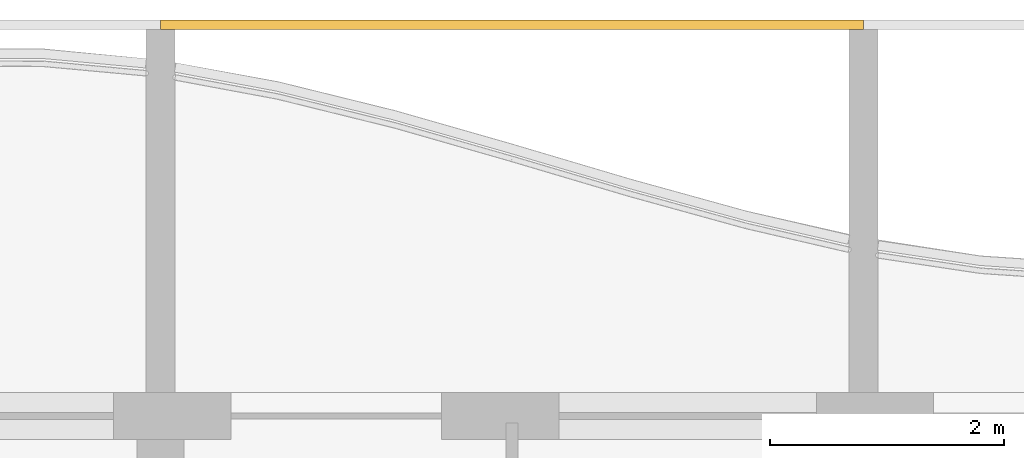
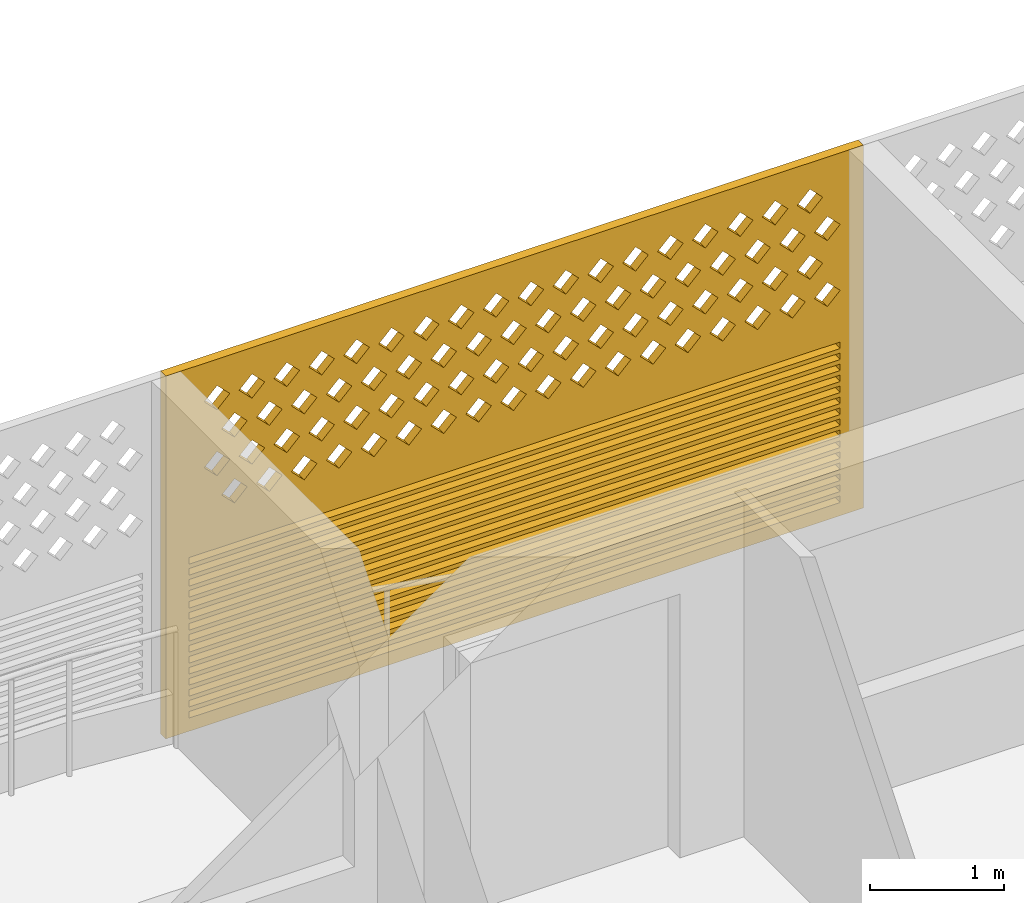
# One storey, part 34 of 39: 1 covering.
"""IFC4 building model written with IfcOpenShell, lengths in metres."""

from ifc_helpers import new_model, si_unit, direction, frame, origin, place, context, subcontext, project, spatial, polyline, outline, extrude, source, transform, mapped, material, material_profile, profile_set, type_object, element, save


model = new_model("IFC4")

# Units and contexts
model_context = context("Model", 3, precision=1e-05, world=origin(), true_north=direction((0.0, 1.0)))
body_context = subcontext(model_context, "Body", "Model", "MODEL_VIEW")
ifc_project = project(units=[si_unit("LENGTHUNIT", "METRE"), si_unit("AREAUNIT", "SQUARE_METRE"), si_unit("VOLUMEUNIT", "CUBIC_METRE"), si_unit("PLANEANGLEUNIT", "RADIAN"), si_unit("MASSUNIT", "GRAM", prefix="KILO")], contexts=[model_context])

# Site, building, storey
site_placement = place(None, origin())
site = spatial("IfcSite", under=ifc_project, at=site_placement, CompositionType="ELEMENT")
building_placement = place(site_placement, origin())
building = spatial("IfcBuilding", under=site, at=building_placement, Name="Poui Terraces", CompositionType="ELEMENT")
storey_placement = place(building_placement, frame((0.0, 0.0, 56.39990234375)))
storey = spatial("IfcBuildingStorey", under=building, at=storey_placement, Name="L15", CompositionType="ELEMENT", Elevation=56.39990234375)

# Covering
ifc_material = material(Name="Terracotta screen", Category="masonry")
ifc_material_profile = material_profile(ifc_material, outline(polyline([(-3.0, -1.64990234375), (3.0, -1.64990234375), (3.0, 1.64990234375), (-3.0, 1.64990234375), (-3.0, -1.64990234375)]), holes=[polyline([(-2.800048828125, 0.39990234375), (-2.68994140625, 0.2900390625), (-2.580078125, 0.39990234375), (-2.68994140625, 0.510009765625), (-2.800048828125, 0.39990234375)]), polyline([(-2.5, 0.39990234375), (-2.389892578125, 0.2900390625), (-2.280029296875, 0.39990234375), (-2.389892578125, 0.510009765625), (-2.5, 0.39990234375)]), polyline([(-2.199951171875, 0.39990234375), (-2.090087890625, 0.2900390625), (-1.97998046875, 0.39990234375), (-2.090087890625, 0.510009765625), (-2.199951171875, 0.39990234375)]), polyline([(-1.89990234375, 0.39990234375), (-1.7900390625, 0.2900390625), (-1.679931640625, 0.39990234375), (-1.7900390625, 0.510009765625), (-1.89990234375, 0.39990234375)]), polyline([(-1.60009765625, 0.39990234375), (-1.489990234375, 0.2900390625), (-1.3798828125, 0.39990234375), (-1.489990234375, 0.510009765625), (-1.60009765625, 0.39990234375)]), polyline([(-1.300048828125, 0.39990234375), (-1.18994140625, 0.2900390625), (-1.080078125, 0.39990234375), (-1.18994140625, 0.510009765625), (-1.300048828125, 0.39990234375)]), polyline([(-1.0, 0.39990234375), (-0.889892578125, 0.2900390625), (-0.780029296875, 0.39990234375), (-0.889892578125, 0.510009765625), (-1.0, 0.39990234375)]), polyline([(-0.699951171875, 0.39990234375), (-0.590087890625, 0.2900390625), (-0.47998046875, 0.39990234375), (-0.590087890625, 0.510009765625), (-0.699951171875, 0.39990234375)]), polyline([(-0.39990234375, 0.39990234375), (-0.2900390625, 0.2900390625), (-0.179931640625, 0.39990234375), (-0.2900390625, 0.510009765625), (-0.39990234375, 0.39990234375)]), polyline([(-0.10009765625, 0.39990234375), (0.010009765625, 0.2900390625), (0.1201171875, 0.39990234375), (0.010009765625, 0.510009765625), (-0.10009765625, 0.39990234375)]), polyline([(0.199951171875, 0.39990234375), (0.31005859375, 0.2900390625), (0.419921875, 0.39990234375), (0.31005859375, 0.510009765625), (0.199951171875, 0.39990234375)]), polyline([(0.5, 0.39990234375), (0.610107421875, 0.2900390625), (0.719970703125, 0.39990234375), (0.610107421875, 0.510009765625), (0.5, 0.39990234375)]), polyline([(0.800048828125, 0.39990234375), (0.909912109375, 0.2900390625), (1.02001953125, 0.39990234375), (0.909912109375, 0.510009765625), (0.800048828125, 0.39990234375)]), polyline([(1.10009765625, 0.39990234375), (1.2099609375, 0.2900390625), (1.320068359375, 0.39990234375), (1.2099609375, 0.510009765625), (1.10009765625, 0.39990234375)]), polyline([(1.39990234375, 0.39990234375), (1.510009765625, 0.2900390625), (1.6201171875, 0.39990234375), (1.510009765625, 0.510009765625), (1.39990234375, 0.39990234375)]), polyline([(1.699951171875, 0.39990234375), (1.81005859375, 0.2900390625), (1.919921875, 0.39990234375), (1.81005859375, 0.510009765625), (1.699951171875, 0.39990234375)]), polyline([(2.0, 0.39990234375), (2.110107421875, 0.2900390625), (2.219970703125, 0.39990234375), (2.110107421875, 0.510009765625), (2.0, 0.39990234375)]), polyline([(2.300048828125, 0.39990234375), (2.409912109375, 0.2900390625), (2.52001953125, 0.39990234375), (2.409912109375, 0.510009765625), (2.300048828125, 0.39990234375)]), polyline([(-2.64990234375, 0.699951171875), (-2.5400390625, 0.590087890625), (-2.429931640625, 0.699951171875), (-2.5400390625, 0.81005859375), (-2.64990234375, 0.699951171875)]), polyline([(-2.35009765625, 0.699951171875), (-2.239990234375, 0.590087890625), (-2.1298828125, 0.699951171875), (-2.239990234375, 0.81005859375), (-2.35009765625, 0.699951171875)]), polyline([(-2.050048828125, 0.699951171875), (-1.93994140625, 0.590087890625), (-1.830078125, 0.699951171875), (-1.93994140625, 0.81005859375), (-2.050048828125, 0.699951171875)]), polyline([(-1.75, 0.699951171875), (-1.639892578125, 0.590087890625), (-1.530029296875, 0.699951171875), (-1.639892578125, 0.81005859375), (-1.75, 0.699951171875)]), polyline([(-1.449951171875, 0.699951171875), (-1.340087890625, 0.590087890625), (-1.22998046875, 0.699951171875), (-1.340087890625, 0.81005859375), (-1.449951171875, 0.699951171875)]), polyline([(-1.14990234375, 0.699951171875), (-1.0400390625, 0.590087890625), (-0.929931640625, 0.699951171875), (-1.0400390625, 0.81005859375), (-1.14990234375, 0.699951171875)]), polyline([(-0.85009765625, 0.699951171875), (-0.739990234375, 0.590087890625), (-0.6298828125, 0.699951171875), (-0.739990234375, 0.81005859375), (-0.85009765625, 0.699951171875)]), polyline([(-0.550048828125, 0.699951171875), (-0.43994140625, 0.590087890625), (-0.330078125, 0.699951171875), (-0.43994140625, 0.81005859375), (-0.550048828125, 0.699951171875)]), polyline([(-0.25, 0.699951171875), (-0.139892578125, 0.590087890625), (-0.030029296875, 0.699951171875), (-0.139892578125, 0.81005859375), (-0.25, 0.699951171875)]), polyline([(0.050048828125, 0.699951171875), (0.159912109375, 0.590087890625), (0.27001953125, 0.699951171875), (0.159912109375, 0.81005859375), (0.050048828125, 0.699951171875)]), polyline([(0.35009765625, 0.699951171875), (0.4599609375, 0.590087890625), (0.570068359375, 0.699951171875), (0.4599609375, 0.81005859375), (0.35009765625, 0.699951171875)]), polyline([(0.64990234375, 0.699951171875), (0.760009765625, 0.590087890625), (0.8701171875, 0.699951171875), (0.760009765625, 0.81005859375), (0.64990234375, 0.699951171875)]), polyline([(0.949951171875, 0.699951171875), (1.06005859375, 0.590087890625), (1.169921875, 0.699951171875), (1.06005859375, 0.81005859375), (0.949951171875, 0.699951171875)]), polyline([(1.25, 0.699951171875), (1.360107421875, 0.590087890625), (1.469970703125, 0.699951171875), (1.360107421875, 0.81005859375), (1.25, 0.699951171875)]), polyline([(1.550048828125, 0.699951171875), (1.659912109375, 0.590087890625), (1.77001953125, 0.699951171875), (1.659912109375, 0.81005859375), (1.550048828125, 0.699951171875)]), polyline([(1.85009765625, 0.699951171875), (1.9599609375, 0.590087890625), (2.070068359375, 0.699951171875), (1.9599609375, 0.81005859375), (1.85009765625, 0.699951171875)]), polyline([(2.14990234375, 0.699951171875), (2.260009765625, 0.590087890625), (2.3701171875, 0.699951171875), (2.260009765625, 0.81005859375), (2.14990234375, 0.699951171875)]), polyline([(2.449951171875, 0.699951171875), (2.56005859375, 0.590087890625), (2.669921875, 0.699951171875), (2.56005859375, 0.81005859375), (2.449951171875, 0.699951171875)]), polyline([(-2.800048828125, 1.0), (-2.68994140625, 0.889892578125), (-2.580078125, 1.0), (-2.68994140625, 1.110107421875), (-2.800048828125, 1.0)]), polyline([(-2.5, 1.0), (-2.389892578125, 0.889892578125), (-2.280029296875, 1.0), (-2.389892578125, 1.110107421875), (-2.5, 1.0)]), polyline([(-2.199951171875, 1.0), (-2.090087890625, 0.889892578125), (-1.97998046875, 1.0), (-2.090087890625, 1.110107421875), (-2.199951171875, 1.0)]), polyline([(-1.89990234375, 1.0), (-1.7900390625, 0.889892578125), (-1.679931640625, 1.0), (-1.7900390625, 1.110107421875), (-1.89990234375, 1.0)]), polyline([(-1.60009765625, 1.0), (-1.489990234375, 0.889892578125), (-1.3798828125, 1.0), (-1.489990234375, 1.110107421875), (-1.60009765625, 1.0)]), polyline([(-1.300048828125, 1.0), (-1.18994140625, 0.889892578125), (-1.080078125, 1.0), (-1.18994140625, 1.110107421875), (-1.300048828125, 1.0)]), polyline([(-1.0, 1.0), (-0.889892578125, 0.889892578125), (-0.780029296875, 1.0), (-0.889892578125, 1.110107421875), (-1.0, 1.0)]), polyline([(-0.699951171875, 1.0), (-0.590087890625, 0.889892578125), (-0.47998046875, 1.0), (-0.590087890625, 1.110107421875), (-0.699951171875, 1.0)]), polyline([(-0.39990234375, 1.0), (-0.2900390625, 0.889892578125), (-0.179931640625, 1.0), (-0.2900390625, 1.110107421875), (-0.39990234375, 1.0)]), polyline([(-0.10009765625, 1.0), (0.010009765625, 0.889892578125), (0.1201171875, 1.0), (0.010009765625, 1.110107421875), (-0.10009765625, 1.0)]), polyline([(0.199951171875, 1.0), (0.31005859375, 0.889892578125), (0.419921875, 1.0), (0.31005859375, 1.110107421875), (0.199951171875, 1.0)]), polyline([(0.5, 1.0), (0.610107421875, 0.889892578125), (0.719970703125, 1.0), (0.610107421875, 1.110107421875), (0.5, 1.0)]), polyline([(0.800048828125, 1.0), (0.909912109375, 0.889892578125), (1.02001953125, 1.0), (0.909912109375, 1.110107421875), (0.800048828125, 1.0)]), polyline([(1.10009765625, 1.0), (1.2099609375, 0.889892578125), (1.320068359375, 1.0), (1.2099609375, 1.110107421875), (1.10009765625, 1.0)]), polyline([(1.39990234375, 1.0), (1.510009765625, 0.889892578125), (1.6201171875, 1.0), (1.510009765625, 1.110107421875), (1.39990234375, 1.0)]), polyline([(1.699951171875, 1.0), (1.81005859375, 0.889892578125), (1.919921875, 1.0), (1.81005859375, 1.110107421875), (1.699951171875, 1.0)]), polyline([(2.0, 1.0), (2.110107421875, 0.889892578125), (2.219970703125, 1.0), (2.110107421875, 1.110107421875), (2.0, 1.0)]), polyline([(2.300048828125, 1.0), (2.409912109375, 0.889892578125), (2.52001953125, 1.0), (2.409912109375, 1.110107421875), (2.300048828125, 1.0)]), polyline([(-2.64990234375, 1.300048828125), (-2.5400390625, 1.18994140625), (-2.429931640625, 1.300048828125), (-2.5400390625, 1.409912109375), (-2.64990234375, 1.300048828125)]), polyline([(-2.35009765625, 1.300048828125), (-2.239990234375, 1.18994140625), (-2.1298828125, 1.300048828125), (-2.239990234375, 1.409912109375), (-2.35009765625, 1.300048828125)]), polyline([(-2.050048828125, 1.300048828125), (-1.93994140625, 1.18994140625), (-1.830078125, 1.300048828125), (-1.93994140625, 1.409912109375), (-2.050048828125, 1.300048828125)]), polyline([(-1.75, 1.300048828125), (-1.639892578125, 1.18994140625), (-1.530029296875, 1.300048828125), (-1.639892578125, 1.409912109375), (-1.75, 1.300048828125)]), polyline([(-1.449951171875, 1.300048828125), (-1.340087890625, 1.18994140625), (-1.22998046875, 1.300048828125), (-1.340087890625, 1.409912109375), (-1.449951171875, 1.300048828125)]), polyline([(-1.14990234375, 1.300048828125), (-1.0400390625, 1.18994140625), (-0.929931640625, 1.300048828125), (-1.0400390625, 1.409912109375), (-1.14990234375, 1.300048828125)]), polyline([(-0.85009765625, 1.300048828125), (-0.739990234375, 1.18994140625), (-0.6298828125, 1.300048828125), (-0.739990234375, 1.409912109375), (-0.85009765625, 1.300048828125)]), polyline([(-0.550048828125, 1.300048828125), (-0.43994140625, 1.18994140625), (-0.330078125, 1.300048828125), (-0.43994140625, 1.409912109375), (-0.550048828125, 1.300048828125)]), polyline([(-0.25, 1.300048828125), (-0.139892578125, 1.18994140625), (-0.030029296875, 1.300048828125), (-0.139892578125, 1.409912109375), (-0.25, 1.300048828125)]), polyline([(0.050048828125, 1.300048828125), (0.159912109375, 1.18994140625), (0.27001953125, 1.300048828125), (0.159912109375, 1.409912109375), (0.050048828125, 1.300048828125)]), polyline([(0.35009765625, 1.300048828125), (0.4599609375, 1.18994140625), (0.570068359375, 1.300048828125), (0.4599609375, 1.409912109375), (0.35009765625, 1.300048828125)]), polyline([(0.64990234375, 1.300048828125), (0.760009765625, 1.18994140625), (0.8701171875, 1.300048828125), (0.760009765625, 1.409912109375), (0.64990234375, 1.300048828125)]), polyline([(0.949951171875, 1.300048828125), (1.06005859375, 1.18994140625), (1.169921875, 1.300048828125), (1.06005859375, 1.409912109375), (0.949951171875, 1.300048828125)]), polyline([(1.25, 1.300048828125), (1.360107421875, 1.18994140625), (1.469970703125, 1.300048828125), (1.360107421875, 1.409912109375), (1.25, 1.300048828125)]), polyline([(1.550048828125, 1.300048828125), (1.659912109375, 1.18994140625), (1.77001953125, 1.300048828125), (1.659912109375, 1.409912109375), (1.550048828125, 1.300048828125)]), polyline([(1.85009765625, 1.300048828125), (1.9599609375, 1.18994140625), (2.070068359375, 1.300048828125), (1.9599609375, 1.409912109375), (1.85009765625, 1.300048828125)]), polyline([(2.14990234375, 1.300048828125), (2.260009765625, 1.18994140625), (2.3701171875, 1.300048828125), (2.260009765625, 1.409912109375), (2.14990234375, 1.300048828125)]), polyline([(2.449951171875, 1.300048828125), (2.56005859375, 1.18994140625), (2.669921875, 1.300048828125), (2.56005859375, 1.409912109375), (2.449951171875, 1.300048828125)]), polyline([(-2.800048828125, -1.530029296875), (2.800048828125, -1.530029296875), (2.800048828125, -1.469970703125), (-2.800048828125, -1.469970703125), (-2.800048828125, -1.530029296875)]), polyline([(-2.800048828125, -1.429931640625), (2.800048828125, -1.429931640625), (2.800048828125, -1.3701171875), (-2.800048828125, -1.3701171875), (-2.800048828125, -1.429931640625)]), polyline([(-2.800048828125, -1.330078125), (2.800048828125, -1.330078125), (2.800048828125, -1.27001953125), (-2.800048828125, -1.27001953125), (-2.800048828125, -1.330078125)]), polyline([(-2.800048828125, -1.22998046875), (2.800048828125, -1.22998046875), (2.800048828125, -1.169921875), (-2.800048828125, -1.169921875), (-2.800048828125, -1.22998046875)]), polyline([(-2.800048828125, -1.1298828125), (2.800048828125, -1.1298828125), (2.800048828125, -1.070068359375), (-2.800048828125, -1.070068359375), (-2.800048828125, -1.1298828125)]), polyline([(-2.800048828125, -1.030029296875), (2.800048828125, -1.030029296875), (2.800048828125, -0.969970703125), (-2.800048828125, -0.969970703125), (-2.800048828125, -1.030029296875)]), polyline([(-2.800048828125, -0.929931640625), (2.800048828125, -0.929931640625), (2.800048828125, -0.8701171875), (-2.800048828125, -0.8701171875), (-2.800048828125, -0.929931640625)]), polyline([(-2.800048828125, -0.830078125), (2.800048828125, -0.830078125), (2.800048828125, -0.77001953125), (-2.800048828125, -0.77001953125), (-2.800048828125, -0.830078125)]), polyline([(-2.800048828125, -0.72998046875), (2.800048828125, -0.72998046875), (2.800048828125, -0.669921875), (-2.800048828125, -0.669921875), (-2.800048828125, -0.72998046875)]), polyline([(-2.800048828125, -0.6298828125), (2.800048828125, -0.6298828125), (2.800048828125, -0.570068359375), (-2.800048828125, -0.570068359375), (-2.800048828125, -0.6298828125)]), polyline([(-2.800048828125, -0.530029296875), (2.800048828125, -0.530029296875), (2.800048828125, -0.469970703125), (-2.800048828125, -0.469970703125), (-2.800048828125, -0.530029296875)]), polyline([(-2.800048828125, -0.429931640625), (2.800048828125, -0.429931640625), (2.800048828125, -0.3701171875), (-2.800048828125, -0.3701171875), (-2.800048828125, -0.429931640625)]), polyline([(-2.800048828125, -0.330078125), (2.800048828125, -0.330078125), (2.800048828125, -0.27001953125), (-2.800048828125, -0.27001953125), (-2.800048828125, -0.330078125)]), polyline([(-2.800048828125, -0.22998046875), (2.800048828125, -0.22998046875), (2.800048828125, -0.169921875), (-2.800048828125, -0.169921875), (-2.800048828125, -0.22998046875)]), polyline([(-2.800048828125, -0.1298828125), (2.800048828125, -0.1298828125), (2.800048828125, -0.070068359375), (-2.800048828125, -0.070068359375), (-2.800048828125, -0.1298828125)])]), Name="TERRACOTTA SCREEN AND JALOUSIE LOUVRE 6000X3300")
ifc_profile_set = profile_set([ifc_material_profile], Name="Terracotta screen")
covering_type = type_object("IfcCoveringType", Name="TERRACOTTA SCREEN AND JALOUSIE LOUVRE 6000X3300", PredefinedType="CLADDING", material=ifc_profile_set)
shared_shape = source(origin(), body_context, "Body", "SweptSolid", [
    extrude(outline(polyline([(-3.0, -1.64990234375), (3.0, -1.64990234375), (3.0, 1.64990234375), (-3.0, 1.64990234375), (-3.0, -1.64990234375)]), holes=[polyline([(-2.800048828125, 0.39990234375), (-2.68994140625, 0.2900390625), (-2.580078125, 0.39990234375), (-2.68994140625, 0.510009765625), (-2.800048828125, 0.39990234375)]), polyline([(-2.5, 0.39990234375), (-2.389892578125, 0.2900390625), (-2.280029296875, 0.39990234375), (-2.389892578125, 0.510009765625), (-2.5, 0.39990234375)]), polyline([(-2.199951171875, 0.39990234375), (-2.090087890625, 0.2900390625), (-1.97998046875, 0.39990234375), (-2.090087890625, 0.510009765625), (-2.199951171875, 0.39990234375)]), polyline([(-1.89990234375, 0.39990234375), (-1.7900390625, 0.2900390625), (-1.679931640625, 0.39990234375), (-1.7900390625, 0.510009765625), (-1.89990234375, 0.39990234375)]), polyline([(-1.60009765625, 0.39990234375), (-1.489990234375, 0.2900390625), (-1.3798828125, 0.39990234375), (-1.489990234375, 0.510009765625), (-1.60009765625, 0.39990234375)]), polyline([(-1.300048828125, 0.39990234375), (-1.18994140625, 0.2900390625), (-1.080078125, 0.39990234375), (-1.18994140625, 0.510009765625), (-1.300048828125, 0.39990234375)]), polyline([(-1.0, 0.39990234375), (-0.889892578125, 0.2900390625), (-0.780029296875, 0.39990234375), (-0.889892578125, 0.510009765625), (-1.0, 0.39990234375)]), polyline([(-0.699951171875, 0.39990234375), (-0.590087890625, 0.2900390625), (-0.47998046875, 0.39990234375), (-0.590087890625, 0.510009765625), (-0.699951171875, 0.39990234375)]), polyline([(-0.39990234375, 0.39990234375), (-0.2900390625, 0.2900390625), (-0.179931640625, 0.39990234375), (-0.2900390625, 0.510009765625), (-0.39990234375, 0.39990234375)]), polyline([(-0.10009765625, 0.39990234375), (0.010009765625, 0.2900390625), (0.1201171875, 0.39990234375), (0.010009765625, 0.510009765625), (-0.10009765625, 0.39990234375)]), polyline([(0.199951171875, 0.39990234375), (0.31005859375, 0.2900390625), (0.419921875, 0.39990234375), (0.31005859375, 0.510009765625), (0.199951171875, 0.39990234375)]), polyline([(0.5, 0.39990234375), (0.610107421875, 0.2900390625), (0.719970703125, 0.39990234375), (0.610107421875, 0.510009765625), (0.5, 0.39990234375)]), polyline([(0.800048828125, 0.39990234375), (0.909912109375, 0.2900390625), (1.02001953125, 0.39990234375), (0.909912109375, 0.510009765625), (0.800048828125, 0.39990234375)]), polyline([(1.10009765625, 0.39990234375), (1.2099609375, 0.2900390625), (1.320068359375, 0.39990234375), (1.2099609375, 0.510009765625), (1.10009765625, 0.39990234375)]), polyline([(1.39990234375, 0.39990234375), (1.510009765625, 0.2900390625), (1.6201171875, 0.39990234375), (1.510009765625, 0.510009765625), (1.39990234375, 0.39990234375)]), polyline([(1.699951171875, 0.39990234375), (1.81005859375, 0.2900390625), (1.919921875, 0.39990234375), (1.81005859375, 0.510009765625), (1.699951171875, 0.39990234375)]), polyline([(2.0, 0.39990234375), (2.110107421875, 0.2900390625), (2.219970703125, 0.39990234375), (2.110107421875, 0.510009765625), (2.0, 0.39990234375)]), polyline([(2.300048828125, 0.39990234375), (2.409912109375, 0.2900390625), (2.52001953125, 0.39990234375), (2.409912109375, 0.510009765625), (2.300048828125, 0.39990234375)]), polyline([(-2.64990234375, 0.699951171875), (-2.5400390625, 0.590087890625), (-2.429931640625, 0.699951171875), (-2.5400390625, 0.81005859375), (-2.64990234375, 0.699951171875)]), polyline([(-2.35009765625, 0.699951171875), (-2.239990234375, 0.590087890625), (-2.1298828125, 0.699951171875), (-2.239990234375, 0.81005859375), (-2.35009765625, 0.699951171875)]), polyline([(-2.050048828125, 0.699951171875), (-1.93994140625, 0.590087890625), (-1.830078125, 0.699951171875), (-1.93994140625, 0.81005859375), (-2.050048828125, 0.699951171875)]), polyline([(-1.75, 0.699951171875), (-1.639892578125, 0.590087890625), (-1.530029296875, 0.699951171875), (-1.639892578125, 0.81005859375), (-1.75, 0.699951171875)]), polyline([(-1.449951171875, 0.699951171875), (-1.340087890625, 0.590087890625), (-1.22998046875, 0.699951171875), (-1.340087890625, 0.81005859375), (-1.449951171875, 0.699951171875)]), polyline([(-1.14990234375, 0.699951171875), (-1.0400390625, 0.590087890625), (-0.929931640625, 0.699951171875), (-1.0400390625, 0.81005859375), (-1.14990234375, 0.699951171875)]), polyline([(-0.85009765625, 0.699951171875), (-0.739990234375, 0.590087890625), (-0.6298828125, 0.699951171875), (-0.739990234375, 0.81005859375), (-0.85009765625, 0.699951171875)]), polyline([(-0.550048828125, 0.699951171875), (-0.43994140625, 0.590087890625), (-0.330078125, 0.699951171875), (-0.43994140625, 0.81005859375), (-0.550048828125, 0.699951171875)]), polyline([(-0.25, 0.699951171875), (-0.139892578125, 0.590087890625), (-0.030029296875, 0.699951171875), (-0.139892578125, 0.81005859375), (-0.25, 0.699951171875)]), polyline([(0.050048828125, 0.699951171875), (0.159912109375, 0.590087890625), (0.27001953125, 0.699951171875), (0.159912109375, 0.81005859375), (0.050048828125, 0.699951171875)]), polyline([(0.35009765625, 0.699951171875), (0.4599609375, 0.590087890625), (0.570068359375, 0.699951171875), (0.4599609375, 0.81005859375), (0.35009765625, 0.699951171875)]), polyline([(0.64990234375, 0.699951171875), (0.760009765625, 0.590087890625), (0.8701171875, 0.699951171875), (0.760009765625, 0.81005859375), (0.64990234375, 0.699951171875)]), polyline([(0.949951171875, 0.699951171875), (1.06005859375, 0.590087890625), (1.169921875, 0.699951171875), (1.06005859375, 0.81005859375), (0.949951171875, 0.699951171875)]), polyline([(1.25, 0.699951171875), (1.360107421875, 0.590087890625), (1.469970703125, 0.699951171875), (1.360107421875, 0.81005859375), (1.25, 0.699951171875)]), polyline([(1.550048828125, 0.699951171875), (1.659912109375, 0.590087890625), (1.77001953125, 0.699951171875), (1.659912109375, 0.81005859375), (1.550048828125, 0.699951171875)]), polyline([(1.85009765625, 0.699951171875), (1.9599609375, 0.590087890625), (2.070068359375, 0.699951171875), (1.9599609375, 0.81005859375), (1.85009765625, 0.699951171875)]), polyline([(2.14990234375, 0.699951171875), (2.260009765625, 0.590087890625), (2.3701171875, 0.699951171875), (2.260009765625, 0.81005859375), (2.14990234375, 0.699951171875)]), polyline([(2.449951171875, 0.699951171875), (2.56005859375, 0.590087890625), (2.669921875, 0.699951171875), (2.56005859375, 0.81005859375), (2.449951171875, 0.699951171875)]), polyline([(-2.800048828125, 1.0), (-2.68994140625, 0.889892578125), (-2.580078125, 1.0), (-2.68994140625, 1.110107421875), (-2.800048828125, 1.0)]), polyline([(-2.5, 1.0), (-2.389892578125, 0.889892578125), (-2.280029296875, 1.0), (-2.389892578125, 1.110107421875), (-2.5, 1.0)]), polyline([(-2.199951171875, 1.0), (-2.090087890625, 0.889892578125), (-1.97998046875, 1.0), (-2.090087890625, 1.110107421875), (-2.199951171875, 1.0)]), polyline([(-1.89990234375, 1.0), (-1.7900390625, 0.889892578125), (-1.679931640625, 1.0), (-1.7900390625, 1.110107421875), (-1.89990234375, 1.0)]), polyline([(-1.60009765625, 1.0), (-1.489990234375, 0.889892578125), (-1.3798828125, 1.0), (-1.489990234375, 1.110107421875), (-1.60009765625, 1.0)]), polyline([(-1.300048828125, 1.0), (-1.18994140625, 0.889892578125), (-1.080078125, 1.0), (-1.18994140625, 1.110107421875), (-1.300048828125, 1.0)]), polyline([(-1.0, 1.0), (-0.889892578125, 0.889892578125), (-0.780029296875, 1.0), (-0.889892578125, 1.110107421875), (-1.0, 1.0)]), polyline([(-0.699951171875, 1.0), (-0.590087890625, 0.889892578125), (-0.47998046875, 1.0), (-0.590087890625, 1.110107421875), (-0.699951171875, 1.0)]), polyline([(-0.39990234375, 1.0), (-0.2900390625, 0.889892578125), (-0.179931640625, 1.0), (-0.2900390625, 1.110107421875), (-0.39990234375, 1.0)]), polyline([(-0.10009765625, 1.0), (0.010009765625, 0.889892578125), (0.1201171875, 1.0), (0.010009765625, 1.110107421875), (-0.10009765625, 1.0)]), polyline([(0.199951171875, 1.0), (0.31005859375, 0.889892578125), (0.419921875, 1.0), (0.31005859375, 1.110107421875), (0.199951171875, 1.0)]), polyline([(0.5, 1.0), (0.610107421875, 0.889892578125), (0.719970703125, 1.0), (0.610107421875, 1.110107421875), (0.5, 1.0)]), polyline([(0.800048828125, 1.0), (0.909912109375, 0.889892578125), (1.02001953125, 1.0), (0.909912109375, 1.110107421875), (0.800048828125, 1.0)]), polyline([(1.10009765625, 1.0), (1.2099609375, 0.889892578125), (1.320068359375, 1.0), (1.2099609375, 1.110107421875), (1.10009765625, 1.0)]), polyline([(1.39990234375, 1.0), (1.510009765625, 0.889892578125), (1.6201171875, 1.0), (1.510009765625, 1.110107421875), (1.39990234375, 1.0)]), polyline([(1.699951171875, 1.0), (1.81005859375, 0.889892578125), (1.919921875, 1.0), (1.81005859375, 1.110107421875), (1.699951171875, 1.0)]), polyline([(2.0, 1.0), (2.110107421875, 0.889892578125), (2.219970703125, 1.0), (2.110107421875, 1.110107421875), (2.0, 1.0)]), polyline([(2.300048828125, 1.0), (2.409912109375, 0.889892578125), (2.52001953125, 1.0), (2.409912109375, 1.110107421875), (2.300048828125, 1.0)]), polyline([(-2.64990234375, 1.300048828125), (-2.5400390625, 1.18994140625), (-2.429931640625, 1.300048828125), (-2.5400390625, 1.409912109375), (-2.64990234375, 1.300048828125)]), polyline([(-2.35009765625, 1.300048828125), (-2.239990234375, 1.18994140625), (-2.1298828125, 1.300048828125), (-2.239990234375, 1.409912109375), (-2.35009765625, 1.300048828125)]), polyline([(-2.050048828125, 1.300048828125), (-1.93994140625, 1.18994140625), (-1.830078125, 1.300048828125), (-1.93994140625, 1.409912109375), (-2.050048828125, 1.300048828125)]), polyline([(-1.75, 1.300048828125), (-1.639892578125, 1.18994140625), (-1.530029296875, 1.300048828125), (-1.639892578125, 1.409912109375), (-1.75, 1.300048828125)]), polyline([(-1.449951171875, 1.300048828125), (-1.340087890625, 1.18994140625), (-1.22998046875, 1.300048828125), (-1.340087890625, 1.409912109375), (-1.449951171875, 1.300048828125)]), polyline([(-1.14990234375, 1.300048828125), (-1.0400390625, 1.18994140625), (-0.929931640625, 1.300048828125), (-1.0400390625, 1.409912109375), (-1.14990234375, 1.300048828125)]), polyline([(-0.85009765625, 1.300048828125), (-0.739990234375, 1.18994140625), (-0.6298828125, 1.300048828125), (-0.739990234375, 1.409912109375), (-0.85009765625, 1.300048828125)]), polyline([(-0.550048828125, 1.300048828125), (-0.43994140625, 1.18994140625), (-0.330078125, 1.300048828125), (-0.43994140625, 1.409912109375), (-0.550048828125, 1.300048828125)]), polyline([(-0.25, 1.300048828125), (-0.139892578125, 1.18994140625), (-0.030029296875, 1.300048828125), (-0.139892578125, 1.409912109375), (-0.25, 1.300048828125)]), polyline([(0.050048828125, 1.300048828125), (0.159912109375, 1.18994140625), (0.27001953125, 1.300048828125), (0.159912109375, 1.409912109375), (0.050048828125, 1.300048828125)]), polyline([(0.35009765625, 1.300048828125), (0.4599609375, 1.18994140625), (0.570068359375, 1.300048828125), (0.4599609375, 1.409912109375), (0.35009765625, 1.300048828125)]), polyline([(0.64990234375, 1.300048828125), (0.760009765625, 1.18994140625), (0.8701171875, 1.300048828125), (0.760009765625, 1.409912109375), (0.64990234375, 1.300048828125)]), polyline([(0.949951171875, 1.300048828125), (1.06005859375, 1.18994140625), (1.169921875, 1.300048828125), (1.06005859375, 1.409912109375), (0.949951171875, 1.300048828125)]), polyline([(1.25, 1.300048828125), (1.360107421875, 1.18994140625), (1.469970703125, 1.300048828125), (1.360107421875, 1.409912109375), (1.25, 1.300048828125)]), polyline([(1.550048828125, 1.300048828125), (1.659912109375, 1.18994140625), (1.77001953125, 1.300048828125), (1.659912109375, 1.409912109375), (1.550048828125, 1.300048828125)]), polyline([(1.85009765625, 1.300048828125), (1.9599609375, 1.18994140625), (2.070068359375, 1.300048828125), (1.9599609375, 1.409912109375), (1.85009765625, 1.300048828125)]), polyline([(2.14990234375, 1.300048828125), (2.260009765625, 1.18994140625), (2.3701171875, 1.300048828125), (2.260009765625, 1.409912109375), (2.14990234375, 1.300048828125)]), polyline([(2.449951171875, 1.300048828125), (2.56005859375, 1.18994140625), (2.669921875, 1.300048828125), (2.56005859375, 1.409912109375), (2.449951171875, 1.300048828125)]), polyline([(-2.800048828125, -1.530029296875), (2.800048828125, -1.530029296875), (2.800048828125, -1.469970703125), (-2.800048828125, -1.469970703125), (-2.800048828125, -1.530029296875)]), polyline([(-2.800048828125, -1.429931640625), (2.800048828125, -1.429931640625), (2.800048828125, -1.3701171875), (-2.800048828125, -1.3701171875), (-2.800048828125, -1.429931640625)]), polyline([(-2.800048828125, -1.330078125), (2.800048828125, -1.330078125), (2.800048828125, -1.27001953125), (-2.800048828125, -1.27001953125), (-2.800048828125, -1.330078125)]), polyline([(-2.800048828125, -1.22998046875), (2.800048828125, -1.22998046875), (2.800048828125, -1.169921875), (-2.800048828125, -1.169921875), (-2.800048828125, -1.22998046875)]), polyline([(-2.800048828125, -1.1298828125), (2.800048828125, -1.1298828125), (2.800048828125, -1.070068359375), (-2.800048828125, -1.070068359375), (-2.800048828125, -1.1298828125)]), polyline([(-2.800048828125, -1.030029296875), (2.800048828125, -1.030029296875), (2.800048828125, -0.969970703125), (-2.800048828125, -0.969970703125), (-2.800048828125, -1.030029296875)]), polyline([(-2.800048828125, -0.929931640625), (2.800048828125, -0.929931640625), (2.800048828125, -0.8701171875), (-2.800048828125, -0.8701171875), (-2.800048828125, -0.929931640625)]), polyline([(-2.800048828125, -0.830078125), (2.800048828125, -0.830078125), (2.800048828125, -0.77001953125), (-2.800048828125, -0.77001953125), (-2.800048828125, -0.830078125)]), polyline([(-2.800048828125, -0.72998046875), (2.800048828125, -0.72998046875), (2.800048828125, -0.669921875), (-2.800048828125, -0.669921875), (-2.800048828125, -0.72998046875)]), polyline([(-2.800048828125, -0.6298828125), (2.800048828125, -0.6298828125), (2.800048828125, -0.570068359375), (-2.800048828125, -0.570068359375), (-2.800048828125, -0.6298828125)]), polyline([(-2.800048828125, -0.530029296875), (2.800048828125, -0.530029296875), (2.800048828125, -0.469970703125), (-2.800048828125, -0.469970703125), (-2.800048828125, -0.530029296875)]), polyline([(-2.800048828125, -0.429931640625), (2.800048828125, -0.429931640625), (2.800048828125, -0.3701171875), (-2.800048828125, -0.3701171875), (-2.800048828125, -0.429931640625)]), polyline([(-2.800048828125, -0.330078125), (2.800048828125, -0.330078125), (2.800048828125, -0.27001953125), (-2.800048828125, -0.27001953125), (-2.800048828125, -0.330078125)]), polyline([(-2.800048828125, -0.22998046875), (2.800048828125, -0.22998046875), (2.800048828125, -0.169921875), (-2.800048828125, -0.169921875), (-2.800048828125, -0.22998046875)]), polyline([(-2.800048828125, -0.1298828125), (2.800048828125, -0.1298828125), (2.800048828125, -0.070068359375), (-2.800048828125, -0.070068359375), (-2.800048828125, -0.1298828125)])]), origin(), (0.0, 0.0, 1.0), 0.079833984375),
])
covering_placement = place(storey_placement, frame((69.0, 48.10009765625, 1.4501953125), z_axis=(0.0, 1.0, 0.0), x_axis=(-1.0, 0.0, 0.0)))
element("IfcCovering", 1, at=covering_placement, inside=storey, type_object=covering_type, Name="SOLAR SCREEN AND JALOUSIE LOUVRE", PredefinedType="CLADDING", context=body_context, shape_type="MappedRepresentation", body=[
    mapped(shared_shape, transform((0.0, 0.0, 0.0))),
])

save(model, "model.ifc")
